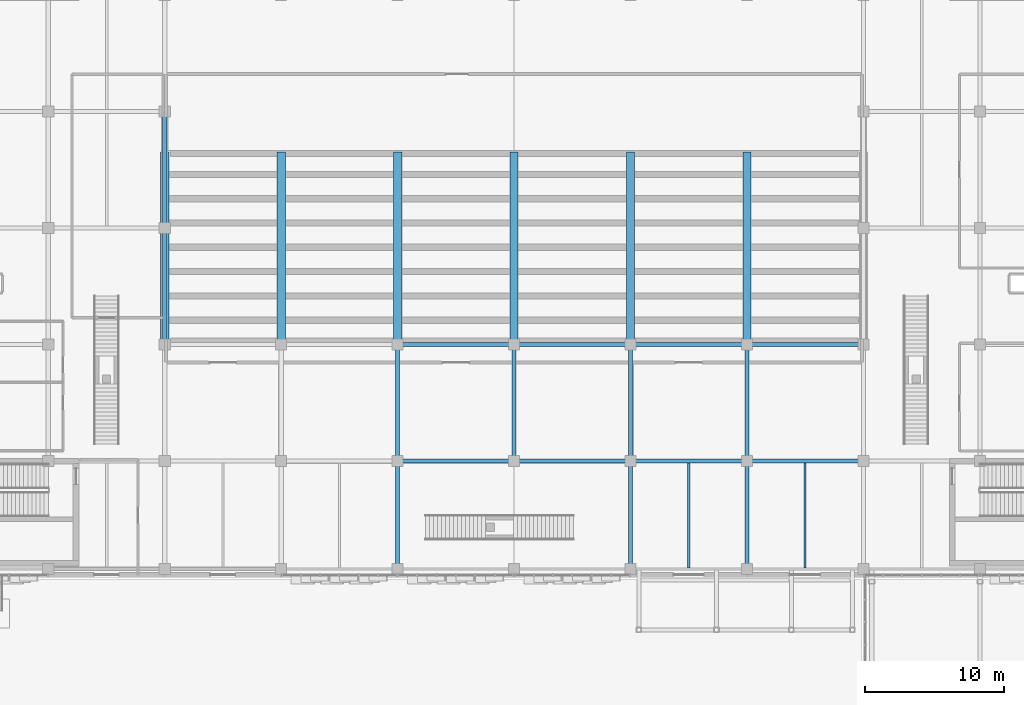
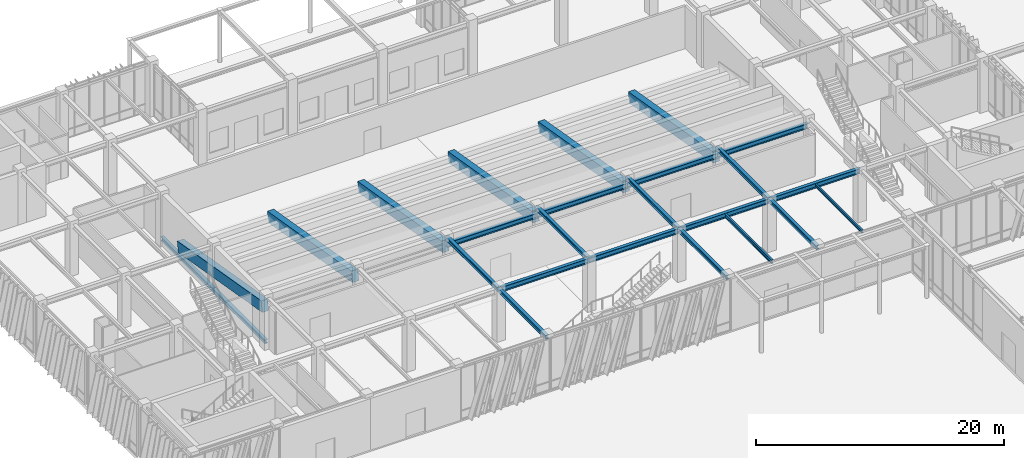
# One storey, part 38 of 122: 25 beams.
"""IFC4 building model written with IfcOpenShell, lengths in metres."""

from ifc_helpers import new_model, si_unit, direction, frame, origin, origin_2d, place, context, subcontext, project, spatial, rectangle, i_section, extrude, material, material_profile, profile_set, type_object, element, save


model = new_model("IFC4")

# Units and contexts
model_context = context("Model", 3, precision=1e-05, world=origin(), true_north=direction((0.0, 1.0)))
body_context = subcontext(model_context, "Body", "Model", "MODEL_VIEW")
ifc_project = project(units=[si_unit("LENGTHUNIT", "METRE"), si_unit("AREAUNIT", "SQUARE_METRE"), si_unit("VOLUMEUNIT", "CUBIC_METRE"), si_unit("PLANEANGLEUNIT", "RADIAN"), si_unit("MASSUNIT", "GRAM", prefix="KILO")], contexts=[model_context])

# Site, building, storey
site_placement = place(None, origin())
site = spatial("IfcSite", under=ifc_project, at=site_placement, CompositionType="ELEMENT")
building_placement = place(site_placement, origin())
building = spatial("IfcBuilding", under=site, at=building_placement, Name="Zayran Congress Hotel", CompositionType="ELEMENT")
storey_placement = place(building_placement, origin())
storey = spatial("IfcBuildingStorey", under=building, at=storey_placement, Name="L00", CompositionType="ELEMENT", Elevation=0.0)

# Beams
ifc_material_1 = material(Name="Concrete C40/50", Category="concrete")
ifc_material_profile_1 = material_profile(ifc_material_1, rectangle(XDim=0.60009765625, YDim=1.050048828125, at=origin_2d()), Name="RC 600x1050")
ifc_profile_set_1 = profile_set([ifc_material_profile_1], Name="Concrete C40/50")
beam_type_1 = type_object("IfcBeamType", Name="TP-RK-01", PredefinedType="BEAM", material=ifc_profile_set_1)
for number, where, z_axis, x_axis, name in (
    (1, (25.199951171875, 84.625, 3.89501953125), (0.0, 0.985656119811, -0.168766150278), (-1.0, 0.0, 0.0), "Congress Hall Raker Beam 25.2"),
    (2, (33.60009765625, 84.625, 3.89501953125), (0.0, 0.985656119811, -0.168766150278), (-1.0, 0.0, 0.0), "Congress Hall Raker Beam 33.6"),
    (3, (42.0, 84.625, 3.89501953125), (0.0, 0.985656119811, -0.168766150278), (-1.0, 0.0, 0.0), "Congress Hall Raker Beam 42.0"),
    (4, (50.39990234375, 84.625, 3.89501953125), (0.0, 0.985656119811, -0.168766150278), (-1.0, 0.0, 0.0), "Congress Hall Raker Beam 50.4"),
    (5, (58.800048828125, 84.625, 3.89501953125), (0.0, 0.985656119811, -0.168766150278), (-1.0, 0.0, 0.0), "Congress Hall Raker Beam 58.8"),
    (6, (67.199951171875, 84.625, 3.89501953125), (0.0, 0.985656119811, -0.168766150278), (-1.0, 0.0, 0.0), "Congress Hall Raker Beam 67.2"),
):
    element("IfcBeam", number, at=place(storey_placement, frame(where, z_axis=z_axis, x_axis=x_axis)), inside=storey, type_object=beam_type_1, Name=name, PredefinedType="BEAM", context=body_context, shape_type="SweptSolid", body=[
        extrude(rectangle(XDim=0.60009765625, YDim=1.050048828125, at=origin_2d()), origin(), (0.0, 0.0, 1.0), 13.747314453125),
    ])
ifc_material_2 = material(Name="Steel S355", Category="steel")
ifc_material_profile_2 = material_profile(ifc_material_2, i_section(OverallWidth=0.300048828125, OverallDepth=0.489990234375, WebThickness=0.011962890625, FlangeThickness=0.02294921875, at=origin_2d()), Name="HEA 500")
ifc_profile_set_2 = profile_set([ifc_material_profile_2], Name="Steel S355")
beam_type_2 = type_object("IfcBeamType", Name="TP-BM-05", PredefinedType="BEAM", material=ifc_profile_set_2)
beam_1_placement = place(storey_placement, frame((42.0, 76.0, 4.8349609375), z_axis=(1.0, 0.0, 0.0), x_axis=(0.0, 1.0, 0.0)))
element("IfcBeam", 7, at=beam_1_placement, inside=storey, type_object=beam_type_2, Name="BM-V1-L00-0403", PredefinedType="BEAM", context=body_context, shape_type="SweptSolid", body=[
    extrude(i_section(OverallWidth=0.300048828125, OverallDepth=0.489990234375, WebThickness=0.011962890625, FlangeThickness=0.02294921875, at=origin_2d()), origin(), (0.0, 0.0, 1.0), 8.39990234375),
])
beam_2_placement = place(storey_placement, frame((50.39990234375, 76.0, 4.8349609375), z_axis=(1.0, 0.0, 0.0), x_axis=(0.0, 1.0, 0.0)))
element("IfcBeam", 8, at=beam_2_placement, inside=storey, type_object=beam_type_2, Name="BM-V1-L00-0404", PredefinedType="BEAM", context=body_context, shape_type="SweptSolid", body=[
    extrude(i_section(OverallWidth=0.300048828125, OverallDepth=0.489990234375, WebThickness=0.011962890625, FlangeThickness=0.02294921875, at=origin_2d()), origin(), (0.0, 0.0, 1.0), 8.400146484375),
])
beam_3_placement = place(storey_placement, frame((58.800048828125, 76.0, 4.8349609375), z_axis=(1.0, 0.0, 0.0), x_axis=(0.0, 1.0, 0.0)))
element("IfcBeam", 9, at=beam_3_placement, inside=storey, type_object=beam_type_2, Name="BM-V1-L00-0405", PredefinedType="BEAM", context=body_context, shape_type="SweptSolid", body=[
    extrude(i_section(OverallWidth=0.300048828125, OverallDepth=0.489990234375, WebThickness=0.011962890625, FlangeThickness=0.02294921875, at=origin_2d()), origin(), (0.0, 0.0, 1.0), 8.39990234375),
])
beam_4_placement = place(storey_placement, frame((67.199951171875, 76.0, 4.8349609375), z_axis=(1.0, 0.0, 0.0), x_axis=(0.0, 1.0, 0.0)))
element("IfcBeam", 10, at=beam_4_placement, inside=storey, type_object=beam_type_2, Name="BM-V1-L00-0406", PredefinedType="BEAM", context=body_context, shape_type="SweptSolid", body=[
    extrude(i_section(OverallWidth=0.300048828125, OverallDepth=0.489990234375, WebThickness=0.011962890625, FlangeThickness=0.02294921875, at=origin_2d()), origin(), (0.0, 0.0, 1.0), 8.400146484375),
])
beam_5_placement = place(storey_placement, frame((42.0, 84.39990234375, 4.175048828125), z_axis=(1.0, 0.0, 0.0), x_axis=(0.0, 1.0, 0.0)))
element("IfcBeam", 11, at=beam_5_placement, inside=storey, type_object=beam_type_2, Name="BM-V1-L00-0412", PredefinedType="BEAM", context=body_context, shape_type="SweptSolid", body=[
    extrude(i_section(OverallWidth=0.300048828125, OverallDepth=0.489990234375, WebThickness=0.011962890625, FlangeThickness=0.02294921875, at=origin_2d()), origin(), (0.0, 0.0, 1.0), 8.39990234375),
])
beam_6_placement = place(storey_placement, frame((50.39990234375, 84.39990234375, 4.175048828125), z_axis=(1.0, 0.0, 0.0), x_axis=(0.0, 1.0, 0.0)))
element("IfcBeam", 12, at=beam_6_placement, inside=storey, type_object=beam_type_2, Name="BM-V1-L00-0413", PredefinedType="BEAM", context=body_context, shape_type="SweptSolid", body=[
    extrude(i_section(OverallWidth=0.300048828125, OverallDepth=0.489990234375, WebThickness=0.011962890625, FlangeThickness=0.02294921875, at=origin_2d()), origin(), (0.0, 0.0, 1.0), 8.400146484375),
])
beam_7_placement = place(storey_placement, frame((58.800048828125, 84.39990234375, 4.175048828125), z_axis=(1.0, 0.0, 0.0), x_axis=(0.0, 1.0, 0.0)))
element("IfcBeam", 13, at=beam_7_placement, inside=storey, type_object=beam_type_2, Name="BM-V1-L00-0414", PredefinedType="BEAM", context=body_context, shape_type="SweptSolid", body=[
    extrude(i_section(OverallWidth=0.300048828125, OverallDepth=0.489990234375, WebThickness=0.011962890625, FlangeThickness=0.02294921875, at=origin_2d()), origin(), (0.0, 0.0, 1.0), 8.39990234375),
])
beam_8_placement = place(storey_placement, frame((67.199951171875, 84.39990234375, 4.175048828125), z_axis=(1.0, 0.0, 0.0), x_axis=(0.0, 1.0, 0.0)))
element("IfcBeam", 14, at=beam_8_placement, inside=storey, type_object=beam_type_2, Name="BM-V1-L00-0415", PredefinedType="BEAM", context=body_context, shape_type="SweptSolid", body=[
    extrude(i_section(OverallWidth=0.300048828125, OverallDepth=0.489990234375, WebThickness=0.011962890625, FlangeThickness=0.02294921875, at=origin_2d()), origin(), (0.0, 0.0, 1.0), 8.400146484375),
])
ifc_material_profile_3 = material_profile(ifc_material_2, i_section(OverallWidth=0.300048828125, OverallDepth=0.389892578125, WebThickness=0.010986328125, FlangeThickness=0.01904296875, at=origin_2d()), Name="HEA 400")
ifc_profile_set_3 = profile_set([ifc_material_profile_3], Name="Steel S355")
beam_type_3 = type_object("IfcBeamType", Name="TP-BM-06", PredefinedType="BEAM", material=ifc_profile_set_3)
beam_9_placement = place(storey_placement, frame((25.199951171875, 84.39990234375, 0.5048828125), z_axis=(0.0, 1.0, 0.0), x_axis=(-1.0, 0.0, 0.0)))
element("IfcBeam", 15, at=beam_9_placement, inside=storey, type_object=beam_type_3, Name="BM-V1-L00-0457", PredefinedType="BEAM", context=body_context, shape_type="SweptSolid", body=[
    extrude(i_section(OverallWidth=0.300048828125, OverallDepth=0.389892578125, WebThickness=0.010986328125, FlangeThickness=0.01904296875, at=origin_2d()), origin(), (0.0, 0.0, 1.0), 8.400146484375),
])
beam_10_placement = place(storey_placement, frame((25.199951171875, 92.800048828125, 0.5048828125), z_axis=(0.0, 1.0, 0.0), x_axis=(-1.0, 0.0, 0.0)))
element("IfcBeam", 16, at=beam_10_placement, inside=storey, type_object=beam_type_3, Name="BM-V1-L00-0458", PredefinedType="BEAM", context=body_context, shape_type="SweptSolid", body=[
    extrude(i_section(OverallWidth=0.300048828125, OverallDepth=0.389892578125, WebThickness=0.010986328125, FlangeThickness=0.01904296875, at=origin_2d()), origin(), (0.0, 0.0, 1.0), 8.39990234375),
])
beam_11_placement = place(storey_placement, frame((42.0, 68.199951171875, 4.885009765625), z_axis=(0.0, 1.0, 0.0), x_axis=(-1.0, 0.0, 0.0)))
element("IfcBeam", 17, at=beam_11_placement, inside=storey, type_object=beam_type_3, Name="BM-V1-L00-0464", PredefinedType="BEAM", context=body_context, shape_type="SweptSolid", body=[
    extrude(i_section(OverallWidth=0.300048828125, OverallDepth=0.389892578125, WebThickness=0.010986328125, FlangeThickness=0.01904296875, at=origin_2d()), origin(), (0.0, 0.0, 1.0), 7.800048828125),
])
for number, where, z_axis, x_axis, name in (
    (18, (42.0, 76.0, 4.885009765625), (0.0, 1.0, 0.0), (-1.0, 0.0, 0.0), "BM-V1-L00-0465"),
    (19, (50.39990234375, 76.0, 4.885009765625), (0.0, 1.0, 0.0), (-1.0, 0.0, 0.0), "BM-V1-L00-0467"),
):
    element("IfcBeam", number, at=place(storey_placement, frame(where, z_axis=z_axis, x_axis=x_axis)), inside=storey, type_object=beam_type_3, Name=name, PredefinedType="BEAM", context=body_context, shape_type="SweptSolid", body=[
        extrude(i_section(OverallWidth=0.300048828125, OverallDepth=0.389892578125, WebThickness=0.010986328125, FlangeThickness=0.01904296875, at=origin_2d()), origin(), (0.0, 0.0, 1.0), 8.39990234375),
    ])
beam_12_placement = place(storey_placement, frame((58.800048828125, 68.199951171875, 4.885009765625), z_axis=(0.0, 1.0, 0.0), x_axis=(-1.0, 0.0, 0.0)))
element("IfcBeam", 20, at=beam_12_placement, inside=storey, type_object=beam_type_3, Name="BM-V1-L00-0469", PredefinedType="BEAM", context=body_context, shape_type="SweptSolid", body=[
    extrude(i_section(OverallWidth=0.300048828125, OverallDepth=0.389892578125, WebThickness=0.010986328125, FlangeThickness=0.01904296875, at=origin_2d()), origin(), (0.0, 0.0, 1.0), 7.800048828125),
])
beam_13_placement = place(storey_placement, frame((58.800048828125, 76.0, 4.885009765625), z_axis=(0.0, 1.0, 0.0), x_axis=(-1.0, 0.0, 0.0)))
element("IfcBeam", 21, at=beam_13_placement, inside=storey, type_object=beam_type_3, Name="BM-V1-L00-0470", PredefinedType="BEAM", context=body_context, shape_type="SweptSolid", body=[
    extrude(i_section(OverallWidth=0.300048828125, OverallDepth=0.389892578125, WebThickness=0.010986328125, FlangeThickness=0.01904296875, at=origin_2d()), origin(), (0.0, 0.0, 1.0), 8.39990234375),
])
beam_14_placement = place(storey_placement, frame((67.199951171875, 68.199951171875, 4.885009765625), z_axis=(0.0, 1.0, 0.0), x_axis=(-1.0, 0.0, 0.0)))
element("IfcBeam", 22, at=beam_14_placement, inside=storey, type_object=beam_type_3, Name="BM-V1-L00-0472", PredefinedType="BEAM", context=body_context, shape_type="SweptSolid", body=[
    extrude(i_section(OverallWidth=0.300048828125, OverallDepth=0.389892578125, WebThickness=0.010986328125, FlangeThickness=0.01904296875, at=origin_2d()), origin(), (0.0, 0.0, 1.0), 7.800048828125),
])
beam_15_placement = place(storey_placement, frame((67.199951171875, 76.0, 4.885009765625), z_axis=(0.0, 1.0, 0.0), x_axis=(-1.0, 0.0, 0.0)))
element("IfcBeam", 23, at=beam_15_placement, inside=storey, type_object=beam_type_3, Name="BM-V1-L00-0473", PredefinedType="BEAM", context=body_context, shape_type="SweptSolid", body=[
    extrude(i_section(OverallWidth=0.300048828125, OverallDepth=0.389892578125, WebThickness=0.010986328125, FlangeThickness=0.01904296875, at=origin_2d()), origin(), (0.0, 0.0, 1.0), 8.39990234375),
])
ifc_material_profile_4 = material_profile(ifc_material_2, i_section(OverallWidth=0.169921875, OverallDepth=0.360107421875, WebThickness=0.008056640625, FlangeThickness=0.0126953125, at=origin_2d()), Name="IPE 360")
ifc_profile_set_4 = profile_set([ifc_material_profile_4], Name="Steel S355")
beam_type_4 = type_object("IfcBeamType", Name="TP-JS-04", PredefinedType="JOIST", material=ifc_profile_set_4)
beam_16_placement = place(storey_placement, frame((63.0, 68.260009765625, 4.89990234375), z_axis=(0.0, 1.0, 0.0), x_axis=(-1.0, 0.0, 0.0)))
element("IfcBeam", 24, at=beam_16_placement, inside=storey, type_object=beam_type_4, Name="JST-V1-L00-0503", PredefinedType="JOIST", context=body_context, shape_type="SweptSolid", body=[
    extrude(i_section(OverallWidth=0.169921875, OverallDepth=0.360107421875, WebThickness=0.008056640625, FlangeThickness=0.0126953125, at=origin_2d()), origin(), (0.0, 0.0, 1.0), 7.590087890625),
])
ifc_material_profile_5 = material_profile(ifc_material_2, i_section(OverallWidth=0.14990234375, OverallDepth=0.300048828125, WebThickness=0.007080078125, FlangeThickness=0.0107421875, at=origin_2d()), Name="IPE 300")
ifc_profile_set_5 = profile_set([ifc_material_profile_5], Name="Steel S355")
beam_type_5 = type_object("IfcBeamType", Name="TP-JS-05", PredefinedType="JOIST", material=ifc_profile_set_5)
beam_17_placement = place(storey_placement, frame((71.39990234375, 68.260009765625, 4.929931640625), z_axis=(0.0, 1.0, 0.0), x_axis=(-1.0, 0.0, 0.0)))
element("IfcBeam", 25, at=beam_17_placement, inside=storey, type_object=beam_type_5, Name="JST-V1-L00-0505", PredefinedType="JOIST", context=body_context, shape_type="SweptSolid", body=[
    extrude(i_section(OverallWidth=0.14990234375, OverallDepth=0.300048828125, WebThickness=0.007080078125, FlangeThickness=0.0107421875, at=origin_2d()), origin(), (0.0, 0.0, 1.0), 7.590087890625),
])

save(model, "model.ifc")
